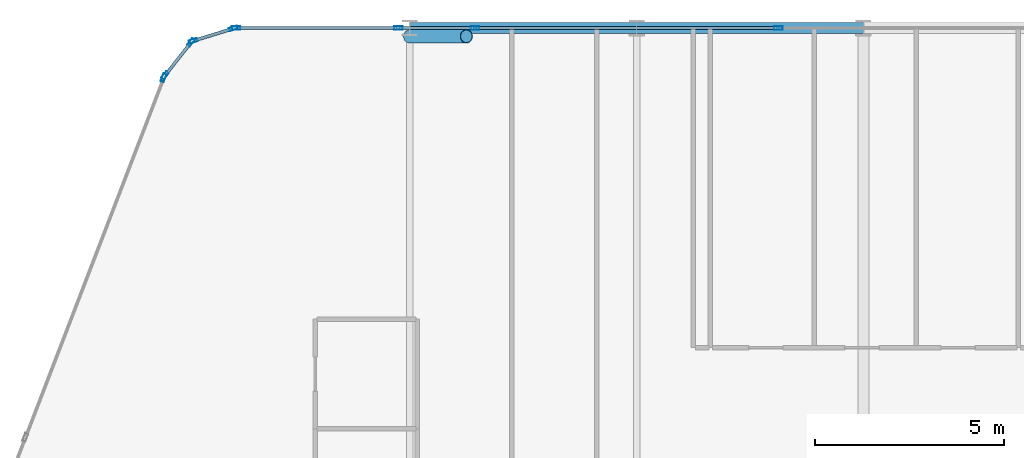
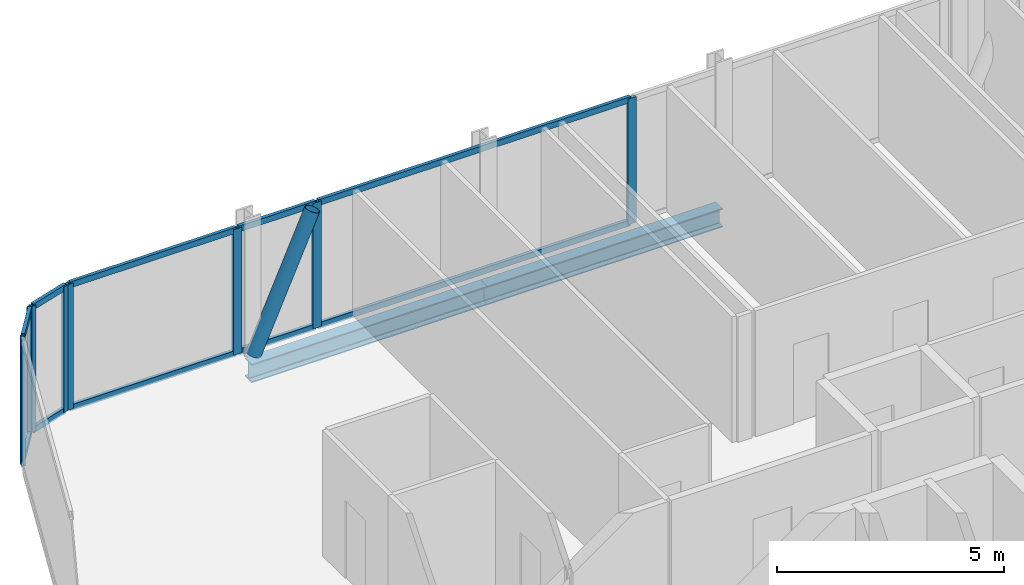
# One storey, part 13 of 33: 20 members, 2 beams, 6 elements without a shape of their own.
"""IFC4 building model written with IfcOpenShell, lengths in metres."""

import ifcopenshell
import ifcopenshell.guid

model = None  # the IFC model being written
_history = None  # IfcOwnerHistory: only IFC2X3 demands one
_inside = {}  # id of a spatial element -> (the spatial element, [elements in it])
_under = {}  # id of a project, library or spatial element -> (it, [spatial elements below it])
_declared = {}  # id of a project -> (the project, [libraries it declares])
_typed = {}  # id of a type object -> (the type object, [elements of that type])
_made_of = {}  # id of a material, layer set ... -> (it, [elements and type objects made of it])


def new_model(schema):
    """Start an empty IFC model of exactly this schema.

    Asked for "IFC4X3", IfcOpenShell would pick the latest addendum, in which some entities
    have other attributes; the version numbers below select the first issue.
    IFC2X3 requires an IfcOwnerHistory on every rooted entity: one is made here for all.
    """
    global model, _history
    if schema == "IFC4X3":
        model = ifcopenshell.file(schema_version=(4, 3, 0, 0))
    else:
        model = ifcopenshell.file(schema=schema)
    _inside.clear()
    _under.clear()
    _declared.clear()
    _typed.clear()
    _made_of.clear()
    _history = None
    if model.schema == "IFC2X3":
        org = make("IfcOrganization", Name="unknown")
        user = make(
            "IfcPersonAndOrganization",
            ThePerson=make("IfcPerson", FamilyName="unknown"),
            TheOrganization=org,
        )
        app = make(
            "IfcApplication",
            ApplicationDeveloper=org,
            Version="unknown",
            ApplicationFullName="unknown",
            ApplicationIdentifier="unknown",
        )
        _history = make(
            "IfcOwnerHistory",
            OwningUser=user,
            OwningApplication=app,
            ChangeAction="ADDED",
            CreationDate=0,
        )
    return model


def make(cls, **values):
    """One entity of the class cls with the attributes given. An attribute that is None is left unset."""
    return model.create_entity(
        cls, **{name: value for name, value in values.items() if value is not None}
    )


def rooted(cls, **values):
    """An entity with a GlobalId (a new one), such as an element, a storey or a relation."""
    return make(cls, GlobalId=ifcopenshell.guid.new(), OwnerHistory=_history, **values)


def si_unit(unit_type, name, prefix=None):
    """IfcSIUnit, for example si_unit("LENGTHUNIT", "METRE", prefix="MILLI")."""
    return make("IfcSIUnit", UnitType=unit_type, Prefix=prefix, Name=name)


def assignment(units):
    """IfcUnitAssignment: the units of a project."""
    return None if units is None else make("IfcUnitAssignment", Units=units)


def point(xyz):
    """IfcCartesianPoint."""
    return None if xyz is None else make("IfcCartesianPoint", Coordinates=xyz)


def direction(xyz):
    """IfcDirection."""
    return None if xyz is None else make("IfcDirection", DirectionRatios=xyz)


def frame(location, z_axis=None, x_axis=None):
    """IfcAxis2Placement3D, a coordinate frame: its origin and axes. An axis left out is left unset."""
    return make(
        "IfcAxis2Placement3D",
        Location=point(location),
        Axis=direction(z_axis),
        RefDirection=direction(x_axis),
    )


def frame_2d(location, x_axis=None):
    """IfcAxis2Placement2D, a coordinate frame in the plane: its origin and x axis."""
    return make(
        "IfcAxis2Placement2D", Location=point(location), RefDirection=direction(x_axis)
    )


def origin():
    """The frame at (0, 0, 0) with its axes left unset."""
    return frame((0.0, 0.0, 0.0))


def origin_2d():
    """The frame at (0, 0) in the plane with its x axis left unset."""
    return frame_2d((0.0, 0.0))


def place(relative_to, where):
    """IfcLocalPlacement: puts the frame where relative to a parent placement (None: the world)."""
    return make(
        "IfcLocalPlacement", PlacementRelTo=relative_to, RelativePlacement=where
    )


def context(
    kind, dimensions, precision=None, world=None, true_north=None, identifier=None
):
    """IfcGeometricRepresentationContext, for example the 3D "Model" context."""
    return make(
        "IfcGeometricRepresentationContext",
        ContextIdentifier=identifier,
        ContextType=kind,
        CoordinateSpaceDimension=dimensions,
        Precision=precision,
        WorldCoordinateSystem=world,
        TrueNorth=true_north,
    )


def subcontext(parent, identifier, kind, view, scale=None):
    """IfcGeometricRepresentationSubContext, for example "Body" below "Model"."""
    return make(
        "IfcGeometricRepresentationSubContext",
        ContextIdentifier=identifier,
        ContextType=kind,
        ParentContext=parent,
        TargetScale=scale,
        TargetView=view,
    )


def project(units=None, contexts=None):
    """IfcProject with its units and contexts."""
    return rooted(
        "IfcProject",
        Name="project",
        RepresentationContexts=contexts,
        UnitsInContext=assignment(units),
    )


def spatial(cls, under=None, at=None, **own):
    """A site, building, storey or space (cls), placed at a placement, below another one or the project."""
    s = rooted(cls, ObjectPlacement=at, **own)
    if under is not None:
        _under.setdefault(under.id(), (under, []))[1].append(s)
    return s


def profile(cls, at=None, kind="AREA", **sizes):
    """A parametric profile (cls). Its sizes go by their IFC names, for example OverallWidth=200.0."""
    return make(cls, ProfileType=kind, Position=at, **sizes)


def hollow_rectangle(**sizes):
    """IfcRectangleHollowProfileDef."""
    return profile("IfcRectangleHollowProfileDef", **sizes)


def hollow_circle(**sizes):
    """IfcCircleHollowProfileDef."""
    return profile("IfcCircleHollowProfileDef", **sizes)


def i_section(**sizes):
    """IfcIShapeProfileDef."""
    return profile("IfcIShapeProfileDef", **sizes)


def extrude(swept, where, along, depth):
    """IfcExtrudedAreaSolid: the profile swept, set in the frame where, extruded along a direction by depth."""
    return make(
        "IfcExtrudedAreaSolid",
        SweptArea=swept,
        Position=where,
        ExtrudedDirection=direction(along),
        Depth=depth,
    )


def shape(context_of_items, identifier, shape_type, items):
    """IfcShapeRepresentation: the items that make up one representation, for example the "Body"."""
    return make(
        "IfcShapeRepresentation",
        ContextOfItems=context_of_items,
        RepresentationIdentifier=identifier,
        RepresentationType=shape_type,
        Items=items,
    )


def material(Name=None, Category=None):
    """IfcMaterial."""
    return make("IfcMaterial", Name=Name, Category=Category)


def layer(
    of_material, thickness, ventilated=None, Name=None, Category=None, Priority=None
):
    """IfcMaterialLayer: one layer of a wall or slab, of a material (None: an air gap)."""
    return make(
        "IfcMaterialLayer",
        Material=of_material,
        LayerThickness=thickness,
        IsVentilated=ventilated,
        Name=Name,
        Category=Category,
        Priority=Priority,
    )


def layer_set(layers, Name=None):
    """IfcMaterialLayerSet."""
    return make("IfcMaterialLayerSet", MaterialLayers=layers, LayerSetName=Name)


def material_profile(
    of_material, cross_section, Name=None, Category=None, Priority=None
):
    """IfcMaterialProfile: a cross section and its material."""
    return make(
        "IfcMaterialProfile",
        Name=Name,
        Material=of_material,
        Profile=cross_section,
        Priority=Priority,
        Category=Category,
    )


def profile_set(profiles, Name=None, composite=None):
    """IfcMaterialProfileSet."""
    return make(
        "IfcMaterialProfileSet",
        Name=Name,
        MaterialProfiles=profiles,
        CompositeProfile=composite,
    )


def made_of(thing, what):
    """Note that an element or type object is made of a material, layer set ...; save() writes the relation."""
    if what is not None:
        _made_of.setdefault(what.id(), (what, []))[1].append(thing)
    return thing


def type_object(cls, material=None, **own):
    """A type object (cls), such as IfcWallType, which elements share."""
    return made_of(rooted(cls, **own), material)


def element(
    cls,
    number,
    at=None,
    inside=None,
    cuts=None,
    type_object=None,
    material=None,
    context=None,
    identifier="Body",
    shape_type=None,
    held_by="IfcProductDefinitionShape",
    body=None,
    shapes=None,
    **own,
):
    """One element of the class cls, such as IfcWall. Its Tag is "e" and its number.

    at: its placement. inside: the storey or other place that contains it. cuts: it is an
    opening in that element (IfcRelVoidsElement). A single representation is given by context,
    identifier, shape_type and body (its items); several are given by shapes. held_by: the class
    of the entity that holds the representations. save() writes the other relations.
    """
    e = rooted(cls, Tag="e%d" % number, ObjectPlacement=at, **own)
    if body is not None:
        shapes = [shape(context, identifier, shape_type, body)]
    if shapes is not None:
        e.Representation = make(held_by, Representations=shapes)
    if inside is not None:
        _inside.setdefault(inside.id(), (inside, []))[1].append(e)
    if cuts is not None:
        rooted(
            "IfcRelVoidsElement", RelatingBuildingElement=cuts, RelatedOpeningElement=e
        )
    if type_object is not None:
        _typed.setdefault(type_object.id(), (type_object, []))[1].append(e)
    return made_of(e, material)


def aggregate(whole, parts):
    """IfcRelAggregates: a whole, such as a stair, and the parts it consists of."""
    return rooted("IfcRelAggregates", RelatingObject=whole, RelatedObjects=parts)


def save(model, path):
    """Write the relations noted so far, then the file.

    IfcRelAggregates (storeys below a building ...), IfcRelContainedInSpatialStructure (elements
    in a storey), IfcRelDefinesByType, IfcRelAssociatesMaterial and IfcRelDeclares: one each for
    every whole, place, type object, material and project.
    """
    for whole, parts in _under.values():
        aggregate(whole, parts)
    for where, things in _inside.values():
        rooted(
            "IfcRelContainedInSpatialStructure",
            RelatedElements=things,
            RelatingStructure=where,
        )
    for kind, things in _typed.values():
        rooted("IfcRelDefinesByType", RelatedObjects=things, RelatingType=kind)
    for what, things in _made_of.values():
        rooted("IfcRelAssociatesMaterial", RelatedObjects=things, RelatingMaterial=what)
    for by, libraries in _declared.values():
        rooted("IfcRelDeclares", RelatingContext=by, RelatedDefinitions=libraries)
    model.write(path)


model = new_model("IFC4")

# Units and contexts
model_context = context("Model", 3, precision=1e-05, world=origin(), true_north=direction((0.0, 1.0)))
body_context = subcontext(model_context, "Body", "Model", "MODEL_VIEW")
ifc_project = project(units=[si_unit("LENGTHUNIT", "METRE"), si_unit("AREAUNIT", "SQUARE_METRE"), si_unit("VOLUMEUNIT", "CUBIC_METRE"), si_unit("PLANEANGLEUNIT", "RADIAN"), si_unit("MASSUNIT", "GRAM", prefix="KILO")], contexts=[model_context])

# Site, building, storey
site_placement = place(None, origin())
site = spatial("IfcSite", under=ifc_project, at=site_placement, CompositionType="ELEMENT")
building_placement = place(site_placement, origin())
building = spatial("IfcBuilding", under=site, at=building_placement, Name="Keshet Zoharim Tower", CompositionType="ELEMENT")
storey_placement = place(building_placement, frame((0.0, 0.0, 35.10009765625)))
storey = spatial("IfcBuildingStorey", under=building, at=storey_placement, Name="L07", CompositionType="ELEMENT", Elevation=35.10009765625)

# Beams
ifc_material_1 = material(Name="Steel S355", Category="steel")
ifc_material_profile_1 = material_profile(ifc_material_1, i_section(OverallWidth=0.300048828125, OverallDepth=0.5, WebThickness=0.014404296875, FlangeThickness=0.028076171875, FilletRadius=0.027099609375, at=origin_2d()), Name="HEB500")
ifc_profile_set_1 = profile_set([ifc_material_profile_1], Name="Steel S355")
beam_type = type_object("IfcBeamType", Name="BM-WEB-HB500", PredefinedType="BEAM", material=ifc_profile_set_1)
for number, where, z_axis, x_axis, name in (
    (1, (21.0, 53.89990234375, -0.565185546875), (1.0, 0.0, 0.0), (0.0, 1.0, 0.0), "L07 Primary Girder X-029"),
    (2, (27.0, 53.89990234375, -0.565185546875), (1.0, 0.0, 0.0), (0.0, 1.0, 0.0), "L07 Primary Girder X-030"),
):
    element("IfcBeam", number, at=place(storey_placement, frame(where, z_axis=z_axis, x_axis=x_axis)), inside=storey, type_object=beam_type, Name=name, PredefinedType="BEAM", context=body_context, shape_type="SweptSolid", body=[
        extrude(i_section(OverallWidth=0.300048828125, OverallDepth=0.5, WebThickness=0.014404296875, FlangeThickness=0.028076171875, FilletRadius=0.027099609375, at=origin_2d()), origin(), (0.0, 0.0, 1.0), 6.0),
    ])

# Curtain wall, member
ifc_material_2 = material(Name="Aluminium 6063-T6", Category="aluminium")
ifc_layer_1 = layer(ifc_material_2, 0.179931640625)
ifc_layer_set_1 = layer_set([ifc_layer_1], Name="Aluminium 6063-T6")
curtain_wall_type_1 = type_object("IfcCurtainWallType", Name="CW-SYS-01", PredefinedType="NOTDEFINED", material=ifc_layer_set_1)
curtain_wall_1_placement = place(storey_placement, origin())
curtain_wall_1 = element("IfcCurtainWall", 3, at=curtain_wall_1_placement, inside=storey, type_object=curtain_wall_type_1, Name="L07 Unitised Curtain Wall 04", PredefinedType="NOTDEFINED")
ifc_material_profile_2 = material_profile(ifc_material_2, hollow_rectangle(XDim=0.090087890625, YDim=0.219970703125, WallThickness=0.0048828125, at=origin_2d()), Name="MUL-90x220")
ifc_profile_set_2 = profile_set([ifc_material_profile_2], Name="Aluminium 6063-T6")
member_type_1 = type_object("IfcMemberType", Name="CWM-M22", PredefinedType="MULLION", material=ifc_profile_set_2)
member_1_placement = place(storey_placement, frame((14.494384765625, 52.58544921875, 0.0), z_axis=(0.0, 0.0, 1.0), x_axis=(-0.933341404361, 0.358990003907, 0.0)))
member_1 = element("IfcMember", 4, at=member_1_placement, type_object=member_type_1, Name="CW-01 mullion 4", PredefinedType="MULLION", context=body_context, shape_type="SweptSolid", body=[
    extrude(hollow_rectangle(XDim=0.090087890625, YDim=0.219970703125, WallThickness=0.0048828125, at=origin_2d()), origin(), (0.0, 0.0, 1.0), 3.385009765625),
])
aggregate(curtain_wall_1, [member_1])

# Curtain wall, members
curtain_wall_2_placement = place(storey_placement, origin())
curtain_wall_2 = element("IfcCurtainWall", 5, at=curtain_wall_2_placement, inside=storey, type_object=curtain_wall_type_1, Name="L07 Unitised Curtain Wall 05", PredefinedType="NOTDEFINED")
member_2_placement = place(storey_placement, frame((14.528564453125, 52.6455078125, 0.0), z_axis=(0.0, 0.0, 1.0), x_axis=(-0.785292825205, 0.619124525989, 0.0)))
member_2 = element("IfcMember", 6, at=member_2_placement, type_object=member_type_1, Name="CW-01 mullion 1", PredefinedType="MULLION", context=body_context, shape_type="SweptSolid", body=[
    extrude(hollow_rectangle(XDim=0.090087890625, YDim=0.219970703125, WallThickness=0.0048828125, at=origin_2d()), origin(), (0.0, 0.0, 1.0), 3.385009765625),
])
member_3_placement = place(storey_placement, frame((15.21923828125, 53.521484375, 0.0), z_axis=(0.0, 0.0, 1.0), x_axis=(-0.785292825205, 0.619124525989, 0.0)))
member_3 = element("IfcMember", 7, at=member_3_placement, type_object=member_type_1, Name="CW-01 mullion 2", PredefinedType="MULLION", context=body_context, shape_type="SweptSolid", body=[
    extrude(hollow_rectangle(XDim=0.090087890625, YDim=0.219970703125, WallThickness=0.0048828125, at=origin_2d()), origin(), (0.0, 0.0, 1.0), 3.385009765625),
])

curtain_wall_3_placement = place(storey_placement, origin())
curtain_wall_3 = element("IfcCurtainWall", 8, at=curtain_wall_3_placement, inside=storey, type_object=curtain_wall_type_1, Name="L07 Unitised Curtain Wall 06", PredefinedType="NOTDEFINED")
member_4_placement = place(storey_placement, frame((15.2744140625, 53.559326171875, 0.0), z_axis=(0.0, 0.0, 1.0), x_axis=(-0.295921857984, 0.955212151288, 0.0)))
member_4 = element("IfcMember", 9, at=member_4_placement, type_object=member_type_1, Name="CW-01 mullion 1", PredefinedType="MULLION", context=body_context, shape_type="SweptSolid", body=[
    extrude(hollow_rectangle(XDim=0.090087890625, YDim=0.219970703125, WallThickness=0.0048828125, at=origin_2d()), origin(), (0.0, 0.0, 1.0), 3.385009765625),
])
member_5_placement = place(storey_placement, frame((16.340576171875, 53.8896484375, 0.0), z_axis=(0.0, 0.0, 1.0), x_axis=(-0.295921857984, 0.955212151288, 0.0)))
member_5 = element("IfcMember", 10, at=member_5_placement, type_object=member_type_1, Name="CW-01 mullion 2", PredefinedType="MULLION", context=body_context, shape_type="SweptSolid", body=[
    extrude(hollow_rectangle(XDim=0.090087890625, YDim=0.219970703125, WallThickness=0.0048828125, at=origin_2d()), origin(), (0.0, 0.0, 1.0), 3.385009765625),
])

ifc_layer_2 = layer(ifc_material_2, 0.169921875)
ifc_layer_set_2 = layer_set([ifc_layer_2], Name="Aluminium 6063-T6")
curtain_wall_type_2 = type_object("IfcCurtainWallType", Name="CW-SYS-02", PredefinedType="NOTDEFINED", material=ifc_layer_set_2)
curtain_wall_4_placement = place(storey_placement, origin())
curtain_wall_4 = element("IfcCurtainWall", 11, at=curtain_wall_4_placement, inside=storey, type_object=curtain_wall_type_2, Name="L07 Unitised Curtain Wall 07", PredefinedType="NOTDEFINED")
member_6_placement = place(storey_placement, frame((16.408935546875, 53.89990234375, 0.0), z_axis=(0.0, 0.0, 1.0), x_axis=(0.0, 1.0, 0.0)))
member_6 = element("IfcMember", 12, at=member_6_placement, type_object=member_type_1, Name="CW-02 mullion 1", PredefinedType="MULLION", context=body_context, shape_type="SweptSolid", body=[
    extrude(hollow_rectangle(XDim=0.090087890625, YDim=0.219970703125, WallThickness=0.0048828125, at=origin_2d()), origin(), (0.0, 0.0, 1.0), 3.385009765625),
])
member_7_placement = place(storey_placement, frame((20.702392578125, 53.89990234375, 0.0), z_axis=(0.0, 0.0, 1.0), x_axis=(0.0, 1.0, 0.0)))
member_7 = element("IfcMember", 13, at=member_7_placement, type_object=member_type_1, Name="CW-02 mullion 2", PredefinedType="MULLION", context=body_context, shape_type="SweptSolid", body=[
    extrude(hollow_rectangle(XDim=0.090087890625, YDim=0.219970703125, WallThickness=0.0048828125, at=origin_2d()), origin(), (0.0, 0.0, 1.0), 3.385009765625),
])

# Curtain wall, member
curtain_wall_5_placement = place(storey_placement, origin())
curtain_wall_5 = element("IfcCurtainWall", 14, at=curtain_wall_5_placement, inside=storey, type_object=curtain_wall_type_2, Name="L07 Unitised Curtain Wall 07 Part 2", PredefinedType="NOTDEFINED")
member_8_placement = place(storey_placement, frame((22.7275390625, 53.89990234375, 0.0), z_axis=(0.0, 0.0, 1.0), x_axis=(0.0, 1.0, 0.0)))
member_8 = element("IfcMember", 15, at=member_8_placement, type_object=member_type_1, Name="CW-02 mullion 2", PredefinedType="MULLION", context=body_context, shape_type="SweptSolid", body=[
    extrude(hollow_rectangle(XDim=0.090087890625, YDim=0.219970703125, WallThickness=0.0048828125, at=origin_2d()), origin(), (0.0, 0.0, 1.0), 3.385009765625),
])

curtain_wall_6_placement = place(storey_placement, origin())
curtain_wall_6 = element("IfcCurtainWall", 16, at=curtain_wall_6_placement, inside=storey, type_object=curtain_wall_type_2, Name="L07 Unitised Curtain Wall 07 Part 3", PredefinedType="NOTDEFINED")
member_9_placement = place(storey_placement, frame((30.75, 53.89990234375, 0.0), z_axis=(0.0, 0.0, 1.0), x_axis=(0.0, 1.0, 0.0)))
member_9 = element("IfcMember", 17, at=member_9_placement, type_object=member_type_1, Name="CW-02 mullion 2", PredefinedType="MULLION", context=body_context, shape_type="SweptSolid", body=[
    extrude(hollow_rectangle(XDim=0.090087890625, YDim=0.219970703125, WallThickness=0.0048828125, at=origin_2d()), origin(), (0.0, 0.0, 1.0), 3.385009765625),
])

# Member
ifc_material_profile_3 = material_profile(ifc_material_2, hollow_rectangle(XDim=0.0849609375, YDim=0.159912109375, WallThickness=0.00439453125, at=origin_2d()), Name="TRN-85x160")
ifc_profile_set_3 = profile_set([ifc_material_profile_3], Name="Aluminium 6063-T6")
member_type_2 = type_object("IfcMemberType", Name="CWT-T16", PredefinedType="USERDEFINED", material=ifc_profile_set_3)
member_10_placement = place(storey_placement, frame((14.55029296875, 52.6728515625, 0.034912109375), z_axis=(0.619099165969, 0.78531281837, 0.0), x_axis=(-0.78531281837, 0.619099165969, 0.0)))
member_10 = element("IfcMember", 18, at=member_10_placement, type_object=member_type_2, Name="CW-01 transom 1.1", ObjectType="TRANSOM", PredefinedType="USERDEFINED", context=body_context, shape_type="SweptSolid", body=[
    extrude(hollow_rectangle(XDim=0.0849609375, YDim=0.159912109375, WallThickness=0.00439453125, at=origin_2d()), origin(), (0.0, 0.0, 1.0), 1.0458984375),
])

member_11_placement = place(storey_placement, frame((14.55029296875, 52.6728515625, 3.349853515625), z_axis=(0.619099165969, 0.78531281837, 0.0), x_axis=(-0.78531281837, 0.619099165969, 0.0)))
member_11 = element("IfcMember", 19, at=member_11_placement, type_object=member_type_2, Name="CW-01 transom 1.2", ObjectType="TRANSOM", PredefinedType="USERDEFINED", context=body_context, shape_type="SweptSolid", body=[
    extrude(hollow_rectangle(XDim=0.0849609375, YDim=0.159912109375, WallThickness=0.00439453125, at=origin_2d()), origin(), (0.0, 0.0, 1.0), 1.0458984375),
])

aggregate(curtain_wall_2, [member_2, member_3, member_10, member_11])

member_12_placement = place(storey_placement, frame((15.307861328125, 53.56982421875, 0.034912109375), z_axis=(0.955212093062, 0.295922045933, 0.0), x_axis=(-0.295922045933, 0.955212093062, 0.0)))
member_12 = element("IfcMember", 20, at=member_12_placement, type_object=member_type_2, Name="CW-01 transom 1.1", ObjectType="TRANSOM", PredefinedType="USERDEFINED", context=body_context, shape_type="SweptSolid", body=[
    extrude(hollow_rectangle(XDim=0.0849609375, YDim=0.159912109375, WallThickness=0.00439453125, at=origin_2d()), origin(), (0.0, 0.0, 1.0), 1.046142578125),
])

member_13_placement = place(storey_placement, frame((15.307861328125, 53.56982421875, 3.349853515625), z_axis=(0.955212093062, 0.295922045933, 0.0), x_axis=(-0.295922045933, 0.955212093062, 0.0)))
member_13 = element("IfcMember", 21, at=member_13_placement, type_object=member_type_2, Name="CW-01 transom 1.2", ObjectType="TRANSOM", PredefinedType="USERDEFINED", context=body_context, shape_type="SweptSolid", body=[
    extrude(hollow_rectangle(XDim=0.0849609375, YDim=0.159912109375, WallThickness=0.00439453125, at=origin_2d()), origin(), (0.0, 0.0, 1.0), 1.046142578125),
])

aggregate(curtain_wall_3, [member_4, member_5, member_12, member_13])

member_14_placement = place(storey_placement, frame((16.444091796875, 53.89990234375, 0.034912109375), z_axis=(1.0, 0.0, 0.0), x_axis=(0.0, 1.0, 0.0)))
member_14 = element("IfcMember", 22, at=member_14_placement, type_object=member_type_2, Name="CW-02 transom 1.1", ObjectType="TRANSOM", PredefinedType="USERDEFINED", context=body_context, shape_type="SweptSolid", body=[
    extrude(hollow_rectangle(XDim=0.0849609375, YDim=0.159912109375, WallThickness=0.00439453125, at=origin_2d()), origin(), (0.0, 0.0, 1.0), 4.223388671875),
])

member_15_placement = place(storey_placement, frame((16.444091796875, 53.89990234375, 3.349853515625), z_axis=(1.0, 0.0, 0.0), x_axis=(0.0, 1.0, 0.0)))
member_15 = element("IfcMember", 23, at=member_15_placement, type_object=member_type_2, Name="CW-02 transom 1.2", ObjectType="TRANSOM", PredefinedType="USERDEFINED", context=body_context, shape_type="SweptSolid", body=[
    extrude(hollow_rectangle(XDim=0.0849609375, YDim=0.159912109375, WallThickness=0.00439453125, at=origin_2d()), origin(), (0.0, 0.0, 1.0), 4.223388671875),
])

aggregate(curtain_wall_4, [member_6, member_7, member_14, member_15])

member_16_placement = place(storey_placement, frame((20.7373046875, 53.89990234375, 0.034912109375), z_axis=(1.0, 0.0, 0.0), x_axis=(0.0, 1.0, 0.0)))
member_16 = element("IfcMember", 24, at=member_16_placement, type_object=member_type_2, Name="CW-02 transom 1.1", ObjectType="TRANSOM", PredefinedType="USERDEFINED", context=body_context, shape_type="SweptSolid", body=[
    extrude(hollow_rectangle(XDim=0.0849609375, YDim=0.159912109375, WallThickness=0.00439453125, at=origin_2d()), origin(), (0.0, 0.0, 1.0), 1.955322265625),
])

member_17_placement = place(storey_placement, frame((20.7373046875, 53.89990234375, 3.349853515625), z_axis=(1.0, 0.0, 0.0), x_axis=(0.0, 1.0, 0.0)))
member_17 = element("IfcMember", 25, at=member_17_placement, type_object=member_type_2, Name="CW-02 transom 1.2", ObjectType="TRANSOM", PredefinedType="USERDEFINED", context=body_context, shape_type="SweptSolid", body=[
    extrude(hollow_rectangle(XDim=0.0849609375, YDim=0.159912109375, WallThickness=0.00439453125, at=origin_2d()), origin(), (0.0, 0.0, 1.0), 1.955322265625),
])

aggregate(curtain_wall_5, [member_8, member_16, member_17])

member_18_placement = place(storey_placement, frame((22.7626953125, 53.89990234375, 0.034912109375), z_axis=(1.0, 0.0, 0.0), x_axis=(0.0, 1.0, 0.0)))
member_18 = element("IfcMember", 26, at=member_18_placement, type_object=member_type_2, Name="CW-02 transom 1.1", ObjectType="TRANSOM", PredefinedType="USERDEFINED", context=body_context, shape_type="SweptSolid", body=[
    extrude(hollow_rectangle(XDim=0.0849609375, YDim=0.159912109375, WallThickness=0.00439453125, at=origin_2d()), origin(), (0.0, 0.0, 1.0), 7.952392578125),
])

member_19_placement = place(storey_placement, frame((22.7626953125, 53.89990234375, 3.349853515625), z_axis=(1.0, 0.0, 0.0), x_axis=(0.0, 1.0, 0.0)))
member_19 = element("IfcMember", 27, at=member_19_placement, type_object=member_type_2, Name="CW-02 transom 1.2", ObjectType="TRANSOM", PredefinedType="USERDEFINED", context=body_context, shape_type="SweptSolid", body=[
    extrude(hollow_rectangle(XDim=0.0849609375, YDim=0.159912109375, WallThickness=0.00439453125, at=origin_2d()), origin(), (0.0, 0.0, 1.0), 7.952392578125),
])

aggregate(curtain_wall_6, [member_9, member_18, member_19])

ifc_material_profile_4 = material_profile(ifc_material_1, hollow_circle(Radius=0.177734375, WallThickness=0.012451171875, at=origin_2d()), Name="CHS355x12.5")
ifc_profile_set_4 = profile_set([ifc_material_profile_4], Name="Steel S355")
member_type_3 = type_object("IfcMemberType", Name="MB-BR-C355", PredefinedType="BRACE", material=ifc_profile_set_4)
member_20_placement = place(storey_placement, frame((21.0, 53.679931640625, 0.0), z_axis=(0.405134846829, 0.0, 0.91425694194), x_axis=(0.0, 1.0, 0.0)))
element("IfcMember", 28, at=member_20_placement, inside=storey, type_object=member_type_3, Name="L07 Perimeter Tube Brace 01", PredefinedType="BRACE", context=body_context, shape_type="SweptSolid", body=[
    extrude(hollow_circle(Radius=0.177734375, WallThickness=0.012451171875, at=origin_2d()), origin(), (0.0, 0.0, 1.0), 3.702392578125),
])

save(model, "model.ifc")
